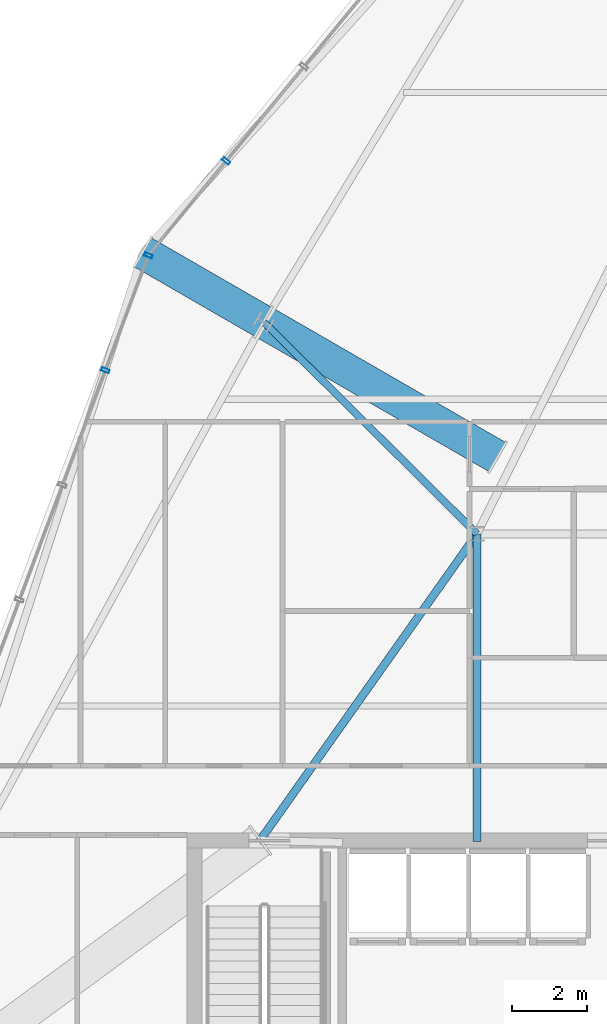
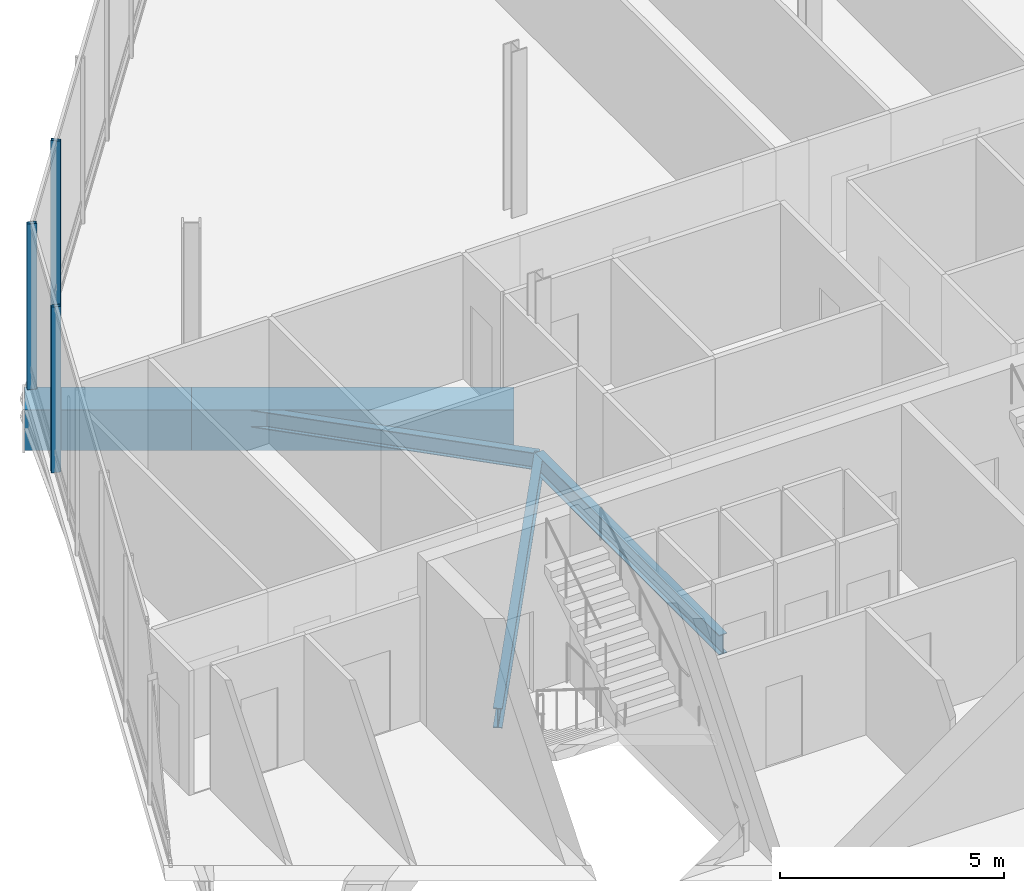
# One storey, part 7 of 29: 5 beams, 3 members, 2 elements without a shape of their own.
"""IFC4 building model written with IfcOpenShell, lengths in metres."""

from ifc_helpers import new_model, si_unit, direction, frame, origin, origin_2d, place, context, subcontext, project, spatial, hollow_rectangle, i_section, extrude, material, layer, layer_set, material_profile, profile_set, type_object, element, aggregate, save


model = new_model("IFC4")

# Units and contexts
model_context = context("Model", 3, precision=1e-05, world=origin(), true_north=direction((0.0, 1.0)))
body_context = subcontext(model_context, "Body", "Model", "MODEL_VIEW")
ifc_project = project(units=[si_unit("LENGTHUNIT", "METRE"), si_unit("AREAUNIT", "SQUARE_METRE"), si_unit("VOLUMEUNIT", "CUBIC_METRE"), si_unit("PLANEANGLEUNIT", "RADIAN"), si_unit("MASSUNIT", "GRAM", prefix="KILO")], contexts=[model_context])

# Site, building, storey
site_placement = place(None, origin())
site = spatial("IfcSite", under=ifc_project, at=site_placement, CompositionType="ELEMENT")
building_placement = place(site_placement, origin())
building = spatial("IfcBuilding", under=site, at=building_placement, Name="Ndaravel Arena Tower", CompositionType="ELEMENT")
storey_placement = place(building_placement, frame((0.0, 0.0, 208.39990234375)))
storey = spatial("IfcBuildingStorey", under=building, at=storey_placement, Name="L50", CompositionType="ELEMENT", Elevation=208.39990234375)

# Beams
ifc_material_1 = material(Name="Steel S355", Category="steel")
ifc_material_profile_1 = material_profile(ifc_material_1, i_section(OverallWidth=0.19140625, OverallDepth=0.4599609375, WebThickness=0.010009765625, FlangeThickness=0.01611328125, FilletRadius=0.01025390625, at=origin_2d()), Name="UB 457x191x82")
ifc_profile_set_1 = profile_set([ifc_material_profile_1], Name="Steel S355")
beam_type_1 = type_object("IfcBeamType", Name="BM-GIRD-UB457", PredefinedType="BEAM", material=ifc_profile_set_1)
beam_1_placement = place(storey_placement, frame((28.502197265625, 28.858642578125, -0.510009765625), z_axis=(0.709534802511, -0.70467039389, 0.0), x_axis=(0.70467039389, 0.709534802511, 0.0)))
element("IfcBeam", 1, at=beam_1_placement, inside=storey, type_object=beam_type_1, Name="L50 Radial Floor Girder FG-19", PredefinedType="BEAM", context=body_context, shape_type="SweptSolid", body=[
    extrude(i_section(OverallWidth=0.19140625, OverallDepth=0.4599609375, WebThickness=0.010009765625, FlangeThickness=0.01611328125, FilletRadius=0.01025390625, at=origin_2d()), origin(), (0.0, 0.0, 1.0), 8.0302734375),
])
ifc_material_2 = material(Name="Steel S355", Category="steel")
ifc_material_profile_2 = material_profile(ifc_material_2, i_section(OverallWidth=0.210693359375, OverallDepth=0.53955078125, WebThickness=0.01171875, FlangeThickness=0.018798828125, FilletRadius=0.0126953125, at=origin_2d()), Name="UB 533x210x109")
ifc_profile_set_2 = profile_set([ifc_material_profile_2], Name="Steel S355")
beam_type_2 = type_object("IfcBeamType", Name="BM-GIRD-UB533", PredefinedType="BEAM", material=ifc_profile_set_2)
beam_2_placement = place(storey_placement, frame((34.199951171875, 14.97998046875, -0.549560546875), z_axis=(0.0, 1.0, 0.0), x_axis=(-1.0, 0.0, 0.0)))
element("IfcBeam", 2, at=beam_2_placement, inside=storey, type_object=beam_type_2, Name="L50 Spine Link Girder SLG-01", PredefinedType="BEAM", context=body_context, shape_type="SweptSolid", body=[
    extrude(i_section(OverallWidth=0.210693359375, OverallDepth=0.53955078125, WebThickness=0.01171875, FlangeThickness=0.018798828125, FilletRadius=0.0126953125, at=origin_2d()), origin(), (0.0, 0.0, 1.0), 8.219970703125),
])
beam_3_placement = place(storey_placement, frame((28.396484375, 15.0, -0.549560546875), z_axis=(0.57769700771, 0.8162512893, 0.0), x_axis=(-0.8162512893, 0.57769700771, 0.0)))
element("IfcBeam", 3, at=beam_3_placement, inside=storey, type_object=beam_type_2, Name="L50 Star Backspan Anchor Tie SAT2-1", PredefinedType="BEAM", context=body_context, shape_type="SweptSolid", body=[
    extrude(i_section(OverallWidth=0.210693359375, OverallDepth=0.53955078125, WebThickness=0.01171875, FlangeThickness=0.018798828125, FilletRadius=0.0126953125, at=origin_2d()), origin(), (0.0, 0.0, 1.0), 10.0458984375),
])
ifc_material_3 = material(Name="Steel S460", Category="steel")
ifc_material_profile_3 = material_profile(ifc_material_3, hollow_rectangle(XDim=0.89990234375, YDim=1.10009765625, WallThickness=0.06494140625, at=origin_2d()), Name="BOX 1100x900x65")
ifc_profile_set_3 = profile_set([ifc_material_profile_3], Name="Steel S460")
beam_type_3 = type_object("IfcBeamType", Name="BM-STAR-BOX1100", PredefinedType="BEAM", material=ifc_profile_set_3)
beam_4_placement = place(storey_placement, frame((34.737548828125, 25.258544921875, -0.829833984375), z_axis=(-0.866018442252, 0.500012057535, 0.0), x_axis=(-0.500012057535, -0.866018442252, 0.0)))
element("IfcBeam", 4, at=beam_4_placement, inside=storey, type_object=beam_type_3, Name="L50 Star Cantilever Backspan Girder SBG-6", PredefinedType="BEAM", context=body_context, shape_type="SweptSolid", body=[
    extrude(hollow_rectangle(XDim=0.89990234375, YDim=1.10009765625, WallThickness=0.06494140625, at=origin_2d()), origin(), (0.0, 0.0, 1.0), 7.199951171875),
])
beam_5_placement = place(storey_placement, frame((28.502197265625, 28.858642578125, -0.829833984375), z_axis=(-0.86600681122, 0.500032201883, 0.0), x_axis=(-0.500032201883, -0.86600681122, 0.0)))
element("IfcBeam", 5, at=beam_5_placement, inside=storey, type_object=beam_type_3, Name="L50 Star Cantilever Tip Girder SCG-6", PredefinedType="BEAM", context=body_context, shape_type="SweptSolid", body=[
    extrude(hollow_rectangle(XDim=0.89990234375, YDim=1.10009765625, WallThickness=0.06494140625, at=origin_2d()), origin(), (0.0, 0.0, 1.0), 3.729736328125),
])

# Curtain wall, member
ifc_material_4 = material(Name="Aluminium", Category="aluminium")
ifc_layer = layer(ifc_material_4, 0.179931640625)
ifc_layer_set = layer_set([ifc_layer], Name="Aluminium")
curtain_wall_type = type_object("IfcCurtainWallType", Name="CW-SYS-04", PredefinedType="NOTDEFINED", material=ifc_layer_set)
curtain_wall_1_placement = place(storey_placement, origin())
curtain_wall_1 = element("IfcCurtainWall", 6, at=curtain_wall_1_placement, inside=storey, type_object=curtain_wall_type, Name="L50 Faceted Crystal Curtain Wall CW-L50-E10", PredefinedType="NOTDEFINED")
ifc_material_5 = material(Name="Aluminium", Category="aluminium")
ifc_material_profile_4 = material_profile(ifc_material_5, hollow_rectangle(XDim=0.090087890625, YDim=0.219970703125, WallThickness=0.0048828125, at=origin_2d()), Name="CW MULLION 90x220x5")
ifc_profile_set_4 = profile_set([ifc_material_profile_4], Name="Aluminium")
member_type = type_object("IfcMemberType", Name="MEM-CW-MUL220", PredefinedType="MULLION", material=ifc_profile_set_4)
member_1_placement = place(storey_placement, frame((27.493408203125, 33.167236328125, 0.0), z_axis=(0.0, 0.0, 1.0), x_axis=(-0.636024349169, -0.771668988144, 0.0)))
member_1 = element("IfcMember", 7, at=member_1_placement, type_object=member_type, Name="CW-L50-E10 Mullion 05", PredefinedType="MULLION", context=body_context, shape_type="SweptSolid", body=[
    extrude(hollow_rectangle(XDim=0.090087890625, YDim=0.219970703125, WallThickness=0.0048828125, at=origin_2d()), origin(), (0.0, 0.0, 1.0), 4.52001953125),
])
aggregate(curtain_wall_1, [member_1])

# Curtain wall, members
curtain_wall_2_placement = place(storey_placement, origin())
curtain_wall_2 = element("IfcCurtainWall", 8, at=curtain_wall_2_placement, inside=storey, type_object=curtain_wall_type, Name="L50 Faceted Crystal Curtain Wall CW-L50-E11", PredefinedType="NOTDEFINED")
member_2_placement = place(storey_placement, frame((25.41259765625, 30.642578125, 0.0), z_axis=(0.0, 0.0, 1.0), x_axis=(-0.350272772461, -0.936647737878, 0.0)))
member_2 = element("IfcMember", 9, at=member_2_placement, type_object=member_type, Name="CW-L50-E11 Mullion 00", PredefinedType="MULLION", context=body_context, shape_type="SweptSolid", body=[
    extrude(hollow_rectangle(XDim=0.090087890625, YDim=0.219970703125, WallThickness=0.0048828125, at=origin_2d()), origin(), (0.0, 0.0, 1.0), 4.52001953125),
])
member_3_placement = place(storey_placement, frame((24.2646484375, 27.5732421875, 0.0), z_axis=(0.0, 0.0, 1.0), x_axis=(-0.350272772461, -0.936647737878, 0.0)))
member_3 = element("IfcMember", 10, at=member_3_placement, type_object=member_type, Name="CW-L50-E11 Mullion 01", PredefinedType="MULLION", context=body_context, shape_type="SweptSolid", body=[
    extrude(hollow_rectangle(XDim=0.090087890625, YDim=0.219970703125, WallThickness=0.0048828125, at=origin_2d()), origin(), (0.0, 0.0, 1.0), 4.52001953125),
])
aggregate(curtain_wall_2, [member_2, member_3])

save(model, "model.ifc")
